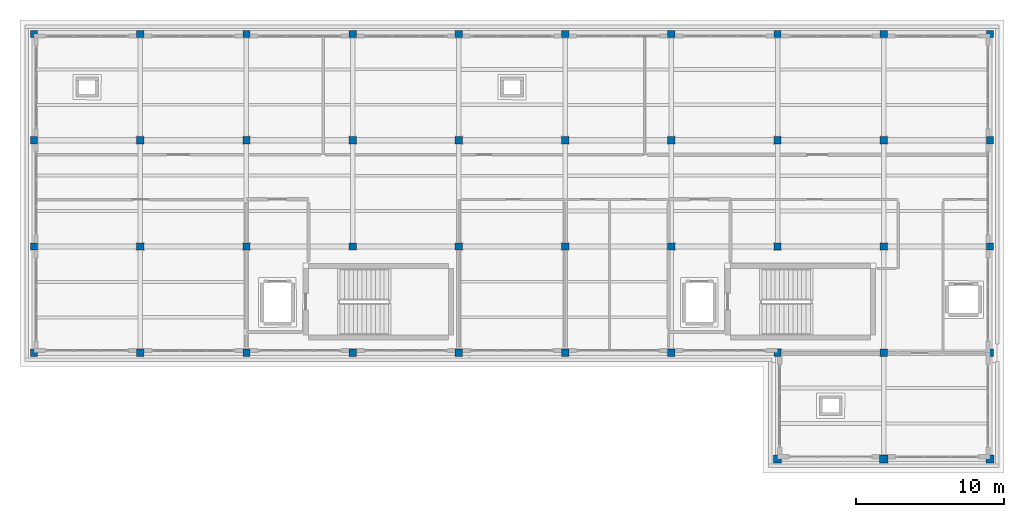
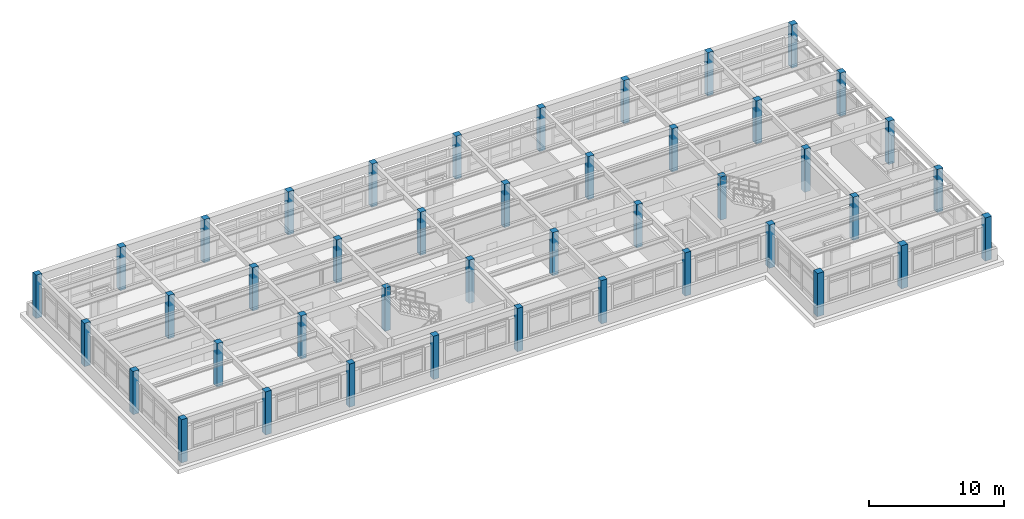
# One storey, part 1 of 20: 43 columns.
"""IFC4 building model written with IfcOpenShell, lengths in metres."""

from ifc_helpers import new_model, si_unit, direction, frame, origin, origin_2d, place, context, subcontext, project, spatial, rectangle, extrude, material, material_profile, profile_set, type_object, element, save


model = new_model("IFC4")

# Units and contexts
model_context = context("Model", 3, precision=1e-05, world=origin(), true_north=direction((0.0, 1.0)))
body_context = subcontext(model_context, "Body", "Model", "MODEL_VIEW")
ifc_project = project(units=[si_unit("LENGTHUNIT", "METRE"), si_unit("AREAUNIT", "SQUARE_METRE"), si_unit("VOLUMEUNIT", "CUBIC_METRE"), si_unit("PLANEANGLEUNIT", "RADIAN"), si_unit("MASSUNIT", "GRAM", prefix="KILO")], contexts=[model_context])

# Site, building, storey
site_placement = place(None, origin())
site = spatial("IfcSite", under=ifc_project, at=site_placement, CompositionType="ELEMENT")
building_placement = place(site_placement, origin())
building = spatial("IfcBuilding", under=site, at=building_placement, Name="Solenvale Faculty of Natural Sciences", CompositionType="ELEMENT")
storey_placement = place(building_placement, frame((0.0, 0.0, 35.39990234375)))
storey = spatial("IfcBuildingStorey", under=building, at=storey_placement, Name="L08", CompositionType="ELEMENT", Elevation=35.39990234375)

# Columns
ifc_material = material(Name="Concrete 40 MPa", Category="concrete")
ifc_material_profile_1 = material_profile(ifc_material, rectangle(XDim=0.5, YDim=0.5, at=origin_2d()), Name="RC-COL-500x500")
ifc_profile_set_1 = profile_set([ifc_material_profile_1], Name="Concrete 40 MPa")
column_type_1 = type_object("IfcColumnType", Name="COL-RC-500", PredefinedType="COLUMN", material=ifc_profile_set_1)
for number, where, z_axis, x_axis, name in (
    (1, (86.39990234375, 93.60009765625, 0.0), (0.0, 0.0, 1.0), (1.0, 0.0, 0.0), "L08 Column (86.4, 93.6)"),
    (2, (86.39990234375, 100.800048828125, 0.0), (0.0, 0.0, 1.0), (1.0, 0.0, 0.0), "L08 Column (86.4, 100.8)"),
    (3, (86.39990234375, 108.0, 0.0), (0.0, 0.0, 1.0), (1.0, 0.0, 0.0), "L08 Column (86.4, 108.0)"),
    (4, (86.39990234375, 115.199951171875, 0.0), (0.0, 0.0, 1.0), (1.0, 0.0, 0.0), "L08 Column (86.4, 115.2)"),
    (5, (93.60009765625, 93.60009765625, 0.0), (0.0, 0.0, 1.0), (1.0, 0.0, 0.0), "L08 Column (93.6, 93.6)"),
    (6, (93.60009765625, 100.800048828125, 0.0), (0.0, 0.0, 1.0), (1.0, 0.0, 0.0), "L08 Column (93.6, 100.8)"),
    (7, (93.60009765625, 108.0, 0.0), (0.0, 0.0, 1.0), (1.0, 0.0, 0.0), "L08 Column (93.6, 108.0)"),
    (8, (93.60009765625, 115.199951171875, 0.0), (0.0, 0.0, 1.0), (1.0, 0.0, 0.0), "L08 Column (93.6, 115.2)"),
    (9, (100.800048828125, 93.60009765625, 0.0), (0.0, 0.0, 1.0), (1.0, 0.0, 0.0), "L08 Column (100.8, 93.6)"),
    (10, (100.800048828125, 100.800048828125, 0.0), (0.0, 0.0, 1.0), (1.0, 0.0, 0.0), "L08 Column (100.8, 100.8)"),
    (11, (100.800048828125, 108.0, 0.0), (0.0, 0.0, 1.0), (1.0, 0.0, 0.0), "L08 Column (100.8, 108.0)"),
    (12, (100.800048828125, 115.199951171875, 0.0), (0.0, 0.0, 1.0), (1.0, 0.0, 0.0), "L08 Column (100.8, 115.2)"),
    (13, (108.0, 93.60009765625, 0.0), (0.0, 0.0, 1.0), (1.0, 0.0, 0.0), "L08 Column (108.0, 93.6)"),
    (14, (108.0, 100.800048828125, 0.0), (0.0, 0.0, 1.0), (1.0, 0.0, 0.0), "L08 Column (108.0, 100.8)"),
    (15, (108.0, 108.0, 0.0), (0.0, 0.0, 1.0), (1.0, 0.0, 0.0), "L08 Column (108.0, 108.0)"),
    (16, (108.0, 115.199951171875, 0.0), (0.0, 0.0, 1.0), (1.0, 0.0, 0.0), "L08 Column (108.0, 115.2)"),
    (17, (115.199951171875, 93.60009765625, 0.0), (0.0, 0.0, 1.0), (1.0, 0.0, 0.0), "L08 Column (115.2, 93.6)"),
    (18, (115.199951171875, 100.800048828125, 0.0), (0.0, 0.0, 1.0), (1.0, 0.0, 0.0), "L08 Column (115.2, 100.8)"),
    (19, (115.199951171875, 108.0, 0.0), (0.0, 0.0, 1.0), (1.0, 0.0, 0.0), "L08 Column (115.2, 108.0)"),
    (20, (115.199951171875, 115.199951171875, 0.0), (0.0, 0.0, 1.0), (1.0, 0.0, 0.0), "L08 Column (115.2, 115.2)"),
    (21, (122.39990234375, 93.60009765625, 0.0), (0.0, 0.0, 1.0), (1.0, 0.0, 0.0), "L08 Column (122.4, 93.6)"),
    (22, (122.39990234375, 100.800048828125, 0.0), (0.0, 0.0, 1.0), (1.0, 0.0, 0.0), "L08 Column (122.4, 100.8)"),
    (23, (122.39990234375, 108.0, 0.0), (0.0, 0.0, 1.0), (1.0, 0.0, 0.0), "L08 Column (122.4, 108.0)"),
    (24, (122.39990234375, 115.199951171875, 0.0), (0.0, 0.0, 1.0), (1.0, 0.0, 0.0), "L08 Column (122.4, 115.2)"),
    (25, (129.60009765625, 93.60009765625, 0.0), (0.0, 0.0, 1.0), (1.0, 0.0, 0.0), "L08 Column (129.6, 93.6)"),
    (26, (129.60009765625, 100.800048828125, 0.0), (0.0, 0.0, 1.0), (1.0, 0.0, 0.0), "L08 Column (129.6, 100.8)"),
    (27, (129.60009765625, 108.0, 0.0), (0.0, 0.0, 1.0), (1.0, 0.0, 0.0), "L08 Column (129.6, 108.0)"),
    (28, (129.60009765625, 115.199951171875, 0.0), (0.0, 0.0, 1.0), (1.0, 0.0, 0.0), "L08 Column (129.6, 115.2)"),
    (29, (136.800048828125, 93.60009765625, 0.0), (0.0, 0.0, 1.0), (1.0, 0.0, 0.0), "L08 Column (136.8, 93.6)"),
    (30, (136.800048828125, 100.800048828125, 0.0), (0.0, 0.0, 1.0), (1.0, 0.0, 0.0), "L08 Column (136.8, 100.8)"),
    (31, (136.800048828125, 108.0, 0.0), (0.0, 0.0, 1.0), (1.0, 0.0, 0.0), "L08 Column (136.8, 108.0)"),
    (32, (136.800048828125, 115.199951171875, 0.0), (0.0, 0.0, 1.0), (1.0, 0.0, 0.0), "L08 Column (136.8, 115.2)"),
    (33, (144.0, 93.60009765625, 0.0), (0.0, 0.0, 1.0), (1.0, 0.0, 0.0), "L08 Column (144.0, 93.6)"),
    (34, (144.0, 100.800048828125, 0.0), (0.0, 0.0, 1.0), (1.0, 0.0, 0.0), "L08 Column (144.0, 100.8)"),
    (35, (144.0, 108.0, 0.0), (0.0, 0.0, 1.0), (1.0, 0.0, 0.0), "L08 Column (144.0, 108.0)"),
    (36, (144.0, 115.199951171875, 0.0), (0.0, 0.0, 1.0), (1.0, 0.0, 0.0), "L08 Column (144.0, 115.2)"),
    (37, (151.199951171875, 93.60009765625, 0.0), (0.0, 0.0, 1.0), (1.0, 0.0, 0.0), "L08 Column (151.2, 93.6)"),
    (38, (151.199951171875, 100.800048828125, 0.0), (0.0, 0.0, 1.0), (1.0, 0.0, 0.0), "L08 Column (151.2, 100.8)"),
    (39, (151.199951171875, 108.0, 0.0), (0.0, 0.0, 1.0), (1.0, 0.0, 0.0), "L08 Column (151.2, 108.0)"),
    (40, (151.199951171875, 115.199951171875, 0.0), (0.0, 0.0, 1.0), (1.0, 0.0, 0.0), "L08 Column (151.2, 115.2)"),
):
    element("IfcColumn", number, at=place(storey_placement, frame(where, z_axis=z_axis, x_axis=x_axis)), inside=storey, type_object=column_type_1, Name=name, PredefinedType="COLUMN", context=body_context, shape_type="SweptSolid", body=[
        extrude(rectangle(XDim=0.5, YDim=0.5, at=origin_2d()), origin(), (0.0, 0.0, 1.0), 3.920166015625),
    ])
ifc_material_profile_2 = material_profile(ifc_material, rectangle(XDim=0.550048828125, YDim=0.550048828125, at=origin_2d()), Name="RC-COL-550x550")
ifc_profile_set_2 = profile_set([ifc_material_profile_2], Name="Concrete 40 MPa")
column_type_2 = type_object("IfcColumnType", Name="COL-RC-550", PredefinedType="COLUMN", material=ifc_profile_set_2)
for number, where, z_axis, x_axis, name in (
    (41, (136.800048828125, 86.39990234375, 0.0), (0.0, 0.0, 1.0), (1.0, 0.0, 0.0), "L08 Column (136.8, 86.4)"),
    (42, (144.0, 86.39990234375, 0.0), (0.0, 0.0, 1.0), (1.0, 0.0, 0.0), "L08 Column (144.0, 86.4)"),
    (43, (151.199951171875, 86.39990234375, 0.0), (0.0, 0.0, 1.0), (1.0, 0.0, 0.0), "L08 Column (151.2, 86.4)"),
):
    element("IfcColumn", number, at=place(storey_placement, frame(where, z_axis=z_axis, x_axis=x_axis)), inside=storey, type_object=column_type_2, Name=name, PredefinedType="COLUMN", context=body_context, shape_type="SweptSolid", body=[
        extrude(rectangle(XDim=0.550048828125, YDim=0.550048828125, at=origin_2d()), origin(), (0.0, 0.0, 1.0), 3.920166015625),
    ])

save(model, "model.ifc")
